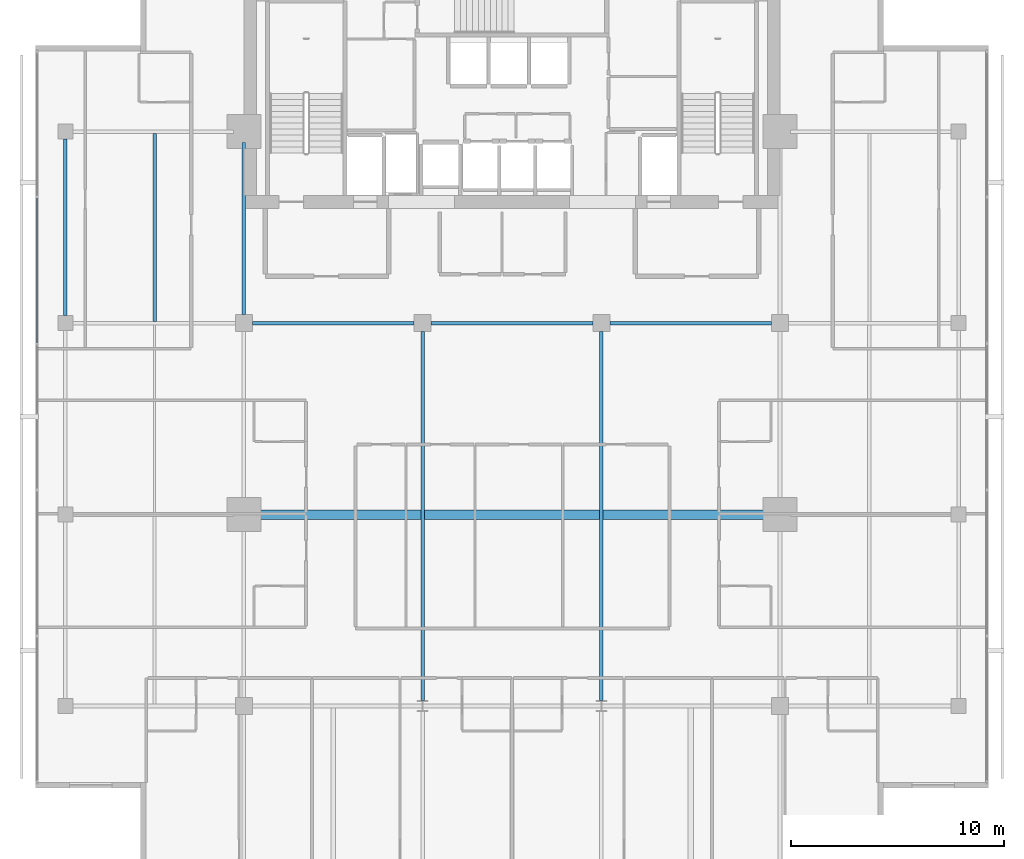
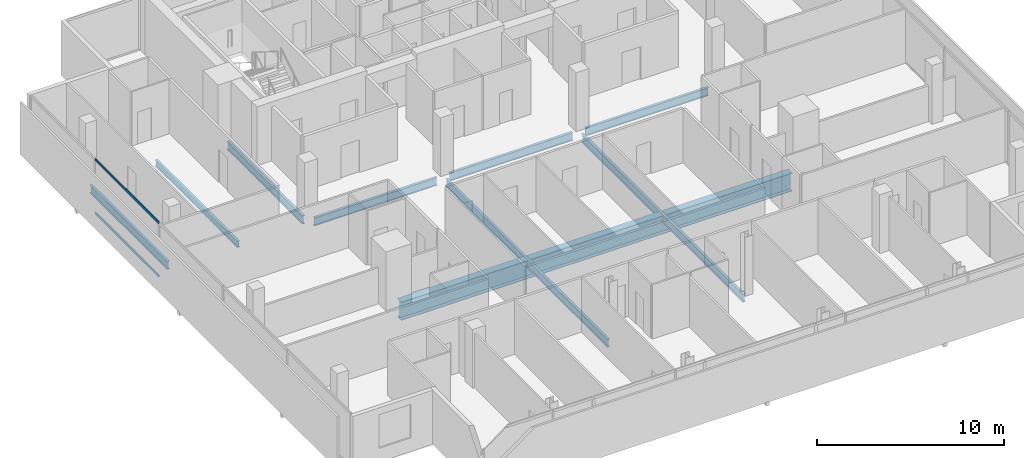
# One storey, part 9 of 26: 9 beams, 2 members, 1 element without a shape of its own.
"""IFC4 building model written with IfcOpenShell, lengths in metres."""

import ifcopenshell
import ifcopenshell.guid

model = None  # the IFC model being written
_history = None  # IfcOwnerHistory: only IFC2X3 demands one
_inside = {}  # id of a spatial element -> (the spatial element, [elements in it])
_under = {}  # id of a project, library or spatial element -> (it, [spatial elements below it])
_declared = {}  # id of a project -> (the project, [libraries it declares])
_typed = {}  # id of a type object -> (the type object, [elements of that type])
_made_of = {}  # id of a material, layer set ... -> (it, [elements and type objects made of it])


def new_model(schema):
    """Start an empty IFC model of exactly this schema.

    Asked for "IFC4X3", IfcOpenShell would pick the latest addendum, in which some entities
    have other attributes; the version numbers below select the first issue.
    IFC2X3 requires an IfcOwnerHistory on every rooted entity: one is made here for all.
    """
    global model, _history
    if schema == "IFC4X3":
        model = ifcopenshell.file(schema_version=(4, 3, 0, 0))
    else:
        model = ifcopenshell.file(schema=schema)
    _inside.clear()
    _under.clear()
    _declared.clear()
    _typed.clear()
    _made_of.clear()
    _history = None
    if model.schema == "IFC2X3":
        org = make("IfcOrganization", Name="unknown")
        user = make(
            "IfcPersonAndOrganization",
            ThePerson=make("IfcPerson", FamilyName="unknown"),
            TheOrganization=org,
        )
        app = make(
            "IfcApplication",
            ApplicationDeveloper=org,
            Version="unknown",
            ApplicationFullName="unknown",
            ApplicationIdentifier="unknown",
        )
        _history = make(
            "IfcOwnerHistory",
            OwningUser=user,
            OwningApplication=app,
            ChangeAction="ADDED",
            CreationDate=0,
        )
    return model


def make(cls, **values):
    """One entity of the class cls with the attributes given. An attribute that is None is left unset."""
    return model.create_entity(
        cls, **{name: value for name, value in values.items() if value is not None}
    )


def rooted(cls, **values):
    """An entity with a GlobalId (a new one), such as an element, a storey or a relation."""
    return make(cls, GlobalId=ifcopenshell.guid.new(), OwnerHistory=_history, **values)


def si_unit(unit_type, name, prefix=None):
    """IfcSIUnit, for example si_unit("LENGTHUNIT", "METRE", prefix="MILLI")."""
    return make("IfcSIUnit", UnitType=unit_type, Prefix=prefix, Name=name)


def assignment(units):
    """IfcUnitAssignment: the units of a project."""
    return None if units is None else make("IfcUnitAssignment", Units=units)


def point(xyz):
    """IfcCartesianPoint."""
    return None if xyz is None else make("IfcCartesianPoint", Coordinates=xyz)


def direction(xyz):
    """IfcDirection."""
    return None if xyz is None else make("IfcDirection", DirectionRatios=xyz)


def frame(location, z_axis=None, x_axis=None):
    """IfcAxis2Placement3D, a coordinate frame: its origin and axes. An axis left out is left unset."""
    return make(
        "IfcAxis2Placement3D",
        Location=point(location),
        Axis=direction(z_axis),
        RefDirection=direction(x_axis),
    )


def frame_2d(location, x_axis=None):
    """IfcAxis2Placement2D, a coordinate frame in the plane: its origin and x axis."""
    return make(
        "IfcAxis2Placement2D", Location=point(location), RefDirection=direction(x_axis)
    )


def origin():
    """The frame at (0, 0, 0) with its axes left unset."""
    return frame((0.0, 0.0, 0.0))


def origin_2d():
    """The frame at (0, 0) in the plane with its x axis left unset."""
    return frame_2d((0.0, 0.0))


def place(relative_to, where):
    """IfcLocalPlacement: puts the frame where relative to a parent placement (None: the world)."""
    return make(
        "IfcLocalPlacement", PlacementRelTo=relative_to, RelativePlacement=where
    )


def context(
    kind, dimensions, precision=None, world=None, true_north=None, identifier=None
):
    """IfcGeometricRepresentationContext, for example the 3D "Model" context."""
    return make(
        "IfcGeometricRepresentationContext",
        ContextIdentifier=identifier,
        ContextType=kind,
        CoordinateSpaceDimension=dimensions,
        Precision=precision,
        WorldCoordinateSystem=world,
        TrueNorth=true_north,
    )


def subcontext(parent, identifier, kind, view, scale=None):
    """IfcGeometricRepresentationSubContext, for example "Body" below "Model"."""
    return make(
        "IfcGeometricRepresentationSubContext",
        ContextIdentifier=identifier,
        ContextType=kind,
        ParentContext=parent,
        TargetScale=scale,
        TargetView=view,
    )


def project(units=None, contexts=None):
    """IfcProject with its units and contexts."""
    return rooted(
        "IfcProject",
        Name="project",
        RepresentationContexts=contexts,
        UnitsInContext=assignment(units),
    )


def spatial(cls, under=None, at=None, **own):
    """A site, building, storey or space (cls), placed at a placement, below another one or the project."""
    s = rooted(cls, ObjectPlacement=at, **own)
    if under is not None:
        _under.setdefault(under.id(), (under, []))[1].append(s)
    return s


def profile(cls, at=None, kind="AREA", **sizes):
    """A parametric profile (cls). Its sizes go by their IFC names, for example OverallWidth=200.0."""
    return make(cls, ProfileType=kind, Position=at, **sizes)


def hollow_rectangle(**sizes):
    """IfcRectangleHollowProfileDef."""
    return profile("IfcRectangleHollowProfileDef", **sizes)


def i_section(**sizes):
    """IfcIShapeProfileDef."""
    return profile("IfcIShapeProfileDef", **sizes)


def extrude(swept, where, along, depth):
    """IfcExtrudedAreaSolid: the profile swept, set in the frame where, extruded along a direction by depth."""
    return make(
        "IfcExtrudedAreaSolid",
        SweptArea=swept,
        Position=where,
        ExtrudedDirection=direction(along),
        Depth=depth,
    )


def shape(context_of_items, identifier, shape_type, items):
    """IfcShapeRepresentation: the items that make up one representation, for example the "Body"."""
    return make(
        "IfcShapeRepresentation",
        ContextOfItems=context_of_items,
        RepresentationIdentifier=identifier,
        RepresentationType=shape_type,
        Items=items,
    )


def material(Name=None, Category=None):
    """IfcMaterial."""
    return make("IfcMaterial", Name=Name, Category=Category)


def layer(
    of_material, thickness, ventilated=None, Name=None, Category=None, Priority=None
):
    """IfcMaterialLayer: one layer of a wall or slab, of a material (None: an air gap)."""
    return make(
        "IfcMaterialLayer",
        Material=of_material,
        LayerThickness=thickness,
        IsVentilated=ventilated,
        Name=Name,
        Category=Category,
        Priority=Priority,
    )


def layer_set(layers, Name=None):
    """IfcMaterialLayerSet."""
    return make("IfcMaterialLayerSet", MaterialLayers=layers, LayerSetName=Name)


def material_profile(
    of_material, cross_section, Name=None, Category=None, Priority=None
):
    """IfcMaterialProfile: a cross section and its material."""
    return make(
        "IfcMaterialProfile",
        Name=Name,
        Material=of_material,
        Profile=cross_section,
        Priority=Priority,
        Category=Category,
    )


def profile_set(profiles, Name=None, composite=None):
    """IfcMaterialProfileSet."""
    return make(
        "IfcMaterialProfileSet",
        Name=Name,
        MaterialProfiles=profiles,
        CompositeProfile=composite,
    )


def made_of(thing, what):
    """Note that an element or type object is made of a material, layer set ...; save() writes the relation."""
    if what is not None:
        _made_of.setdefault(what.id(), (what, []))[1].append(thing)
    return thing


def type_object(cls, material=None, **own):
    """A type object (cls), such as IfcWallType, which elements share."""
    return made_of(rooted(cls, **own), material)


def element(
    cls,
    number,
    at=None,
    inside=None,
    cuts=None,
    type_object=None,
    material=None,
    context=None,
    identifier="Body",
    shape_type=None,
    held_by="IfcProductDefinitionShape",
    body=None,
    shapes=None,
    **own,
):
    """One element of the class cls, such as IfcWall. Its Tag is "e" and its number.

    at: its placement. inside: the storey or other place that contains it. cuts: it is an
    opening in that element (IfcRelVoidsElement). A single representation is given by context,
    identifier, shape_type and body (its items); several are given by shapes. held_by: the class
    of the entity that holds the representations. save() writes the other relations.
    """
    e = rooted(cls, Tag="e%d" % number, ObjectPlacement=at, **own)
    if body is not None:
        shapes = [shape(context, identifier, shape_type, body)]
    if shapes is not None:
        e.Representation = make(held_by, Representations=shapes)
    if inside is not None:
        _inside.setdefault(inside.id(), (inside, []))[1].append(e)
    if cuts is not None:
        rooted(
            "IfcRelVoidsElement", RelatingBuildingElement=cuts, RelatedOpeningElement=e
        )
    if type_object is not None:
        _typed.setdefault(type_object.id(), (type_object, []))[1].append(e)
    return made_of(e, material)


def aggregate(whole, parts):
    """IfcRelAggregates: a whole, such as a stair, and the parts it consists of."""
    return rooted("IfcRelAggregates", RelatingObject=whole, RelatedObjects=parts)


def save(model, path):
    """Write the relations noted so far, then the file.

    IfcRelAggregates (storeys below a building ...), IfcRelContainedInSpatialStructure (elements
    in a storey), IfcRelDefinesByType, IfcRelAssociatesMaterial and IfcRelDeclares: one each for
    every whole, place, type object, material and project.
    """
    for whole, parts in _under.values():
        aggregate(whole, parts)
    for where, things in _inside.values():
        rooted(
            "IfcRelContainedInSpatialStructure",
            RelatedElements=things,
            RelatingStructure=where,
        )
    for kind, things in _typed.values():
        rooted("IfcRelDefinesByType", RelatedObjects=things, RelatingType=kind)
    for what, things in _made_of.values():
        rooted("IfcRelAssociatesMaterial", RelatedObjects=things, RelatingMaterial=what)
    for by, libraries in _declared.values():
        rooted("IfcRelDeclares", RelatingContext=by, RelatedDefinitions=libraries)
    model.write(path)


model = new_model("IFC4")

# Units and contexts
model_context = context("Model", 3, precision=1e-05, world=origin(), true_north=direction((0.0, 1.0)))
body_context = subcontext(model_context, "Body", "Model", "MODEL_VIEW")
ifc_project = project(units=[si_unit("LENGTHUNIT", "METRE"), si_unit("AREAUNIT", "SQUARE_METRE"), si_unit("VOLUMEUNIT", "CUBIC_METRE"), si_unit("PLANEANGLEUNIT", "RADIAN"), si_unit("MASSUNIT", "GRAM", prefix="KILO")], contexts=[model_context])

# Site, building, storey
site_placement = place(None, origin())
site = spatial("IfcSite", under=ifc_project, at=site_placement, CompositionType="ELEMENT")
building_placement = place(site_placement, origin())
building = spatial("IfcBuilding", under=site, at=building_placement, Name="Maruvema Waterfront Hotel and Observation Tower", CompositionType="ELEMENT")
storey_placement = place(building_placement, frame((0.0, 0.0, 312.550048828125)))
storey = spatial("IfcBuildingStorey", under=building, at=storey_placement, Name="L77", CompositionType="ELEMENT", Elevation=312.550048828125)

# Curtain wall, members
ifc_material_1 = material(Name="Anodised bronze aluminium and solar-control low-E IGU", Category="aluminium")
ifc_layer = layer(ifc_material_1, 0.159912109375, Name="Zone 3 Champagne Inner Thermal Curtain Wall System CW-04")
ifc_layer_set = layer_set([ifc_layer], Name="Anodised bronze aluminium and solar-control low-E IGU")
curtain_wall_type = type_object("IfcCurtainWallType", Name="Zone 3 Champagne Inner Thermal Curtain Wall System CW-04", PredefinedType="USERDEFINED", material=ifc_layer_set)
curtain_wall_placement = place(storey_placement, origin())
curtain_wall = element("IfcCurtainWall", 1, at=curtain_wall_placement, inside=storey, type_object=curtain_wall_type, Name="L77 Curtain Wall CW-L77-W", ObjectType="UNITISED CURTAIN WALL", PredefinedType="USERDEFINED")
ifc_material_2 = material(Name="Anodised architectural bronze aluminium", Category="aluminium")
ifc_material_profile_1 = material_profile(ifc_material_2, hollow_rectangle(XDim=0.070068359375, YDim=0.14990234375, WallThickness=0.00390625, at=origin_2d()), Name="ALU-T70x150")
ifc_profile_set_1 = profile_set([ifc_material_profile_1], Name="Anodised architectural bronze aluminium")
member_type = type_object("IfcMemberType", Name="Curtain Wall Horizontal Transom ALU-T70x150", PredefinedType="USERDEFINED", material=ifc_profile_set_1)
member_1_placement = place(storey_placement, frame((15.47998046875, 41.889892578125, 0.030029296875), z_axis=(0.0, -1.0, 0.0), x_axis=(1.0, 0.0, 0.0)))
member_1 = element("IfcMember", 2, at=member_1_placement, type_object=member_type, Name="CW-04 transom 2.1", ObjectType="TRANSOM", PredefinedType="USERDEFINED", context=body_context, shape_type="SweptSolid", body=[
    extrude(hollow_rectangle(XDim=0.070068359375, YDim=0.14990234375, WallThickness=0.00390625, at=origin_2d()), origin(), (0.0, 0.0, 1.0), 6.81982421875),
])
member_2_placement = place(storey_placement, frame((15.47998046875, 41.889892578125, 3.52001953125), z_axis=(0.0, -1.0, 0.0), x_axis=(1.0, 0.0, 0.0)))
member_2 = element("IfcMember", 3, at=member_2_placement, type_object=member_type, Name="CW-04 transom 2.2", ObjectType="TRANSOM", PredefinedType="USERDEFINED", context=body_context, shape_type="SweptSolid", body=[
    extrude(hollow_rectangle(XDim=0.070068359375, YDim=0.14990234375, WallThickness=0.00390625, at=origin_2d()), origin(), (0.0, 0.0, 1.0), 6.81982421875),
])
aggregate(curtain_wall, [member_1, member_2])

# Beams
ifc_material_3 = material(Name="Steel ASTM A572 Grade 50", Category="steel")
ifc_material_profile_2 = material_profile(ifc_material_3, i_section(OverallWidth=0.166015625, OverallDepth=0.529052734375, WebThickness=0.009765625, FlangeThickness=0.013671875, FilletRadius=0.014892578125, at=origin_2d()), Name="W530x74.0")
ifc_profile_set_2 = profile_set([ifc_material_profile_2], Name="Steel ASTM A572 Grade 50")
beam_type_1 = type_object("IfcBeamType", Name="Primary Floor Girder W530x74.0", PredefinedType="BEAM", material=ifc_profile_set_2)
beam_1_placement = place(storey_placement, frame((25.60009765625, 36.0, -0.504638671875), z_axis=(1.0, 0.0, 0.0), x_axis=(0.0, 1.0, 0.0)))
element("IfcBeam", 4, at=beam_1_placement, inside=storey, type_object=beam_type_1, Name="L77 Floor Girder EW-13", PredefinedType="BEAM", context=body_context, shape_type="SweptSolid", body=[
    extrude(i_section(OverallWidth=0.166015625, OverallDepth=0.529052734375, WebThickness=0.009765625, FlangeThickness=0.013671875, FilletRadius=0.014892578125, at=origin_2d()), origin(), (0.0, 0.0, 1.0), 7.599853515625),
])
for number, where, z_axis, x_axis, name in (
    (5, (34.0, 36.0, -0.504638671875), (1.0, 0.0, 0.0), (0.0, 1.0, 0.0), "L77 Floor Girder EW-14"),
    (6, (42.39990234375, 36.0, -0.504638671875), (1.0, 0.0, 0.0), (0.0, 1.0, 0.0), "L77 Floor Girder EW-15"),
):
    element("IfcBeam", number, at=place(storey_placement, frame(where, z_axis=z_axis, x_axis=x_axis)), inside=storey, type_object=beam_type_1, Name=name, PredefinedType="BEAM", context=body_context, shape_type="SweptSolid", body=[
        extrude(i_section(OverallWidth=0.166015625, OverallDepth=0.529052734375, WebThickness=0.009765625, FlangeThickness=0.013671875, FilletRadius=0.014892578125, at=origin_2d()), origin(), (0.0, 0.0, 1.0), 7.60009765625),
    ])
beam_2_placement = place(storey_placement, frame((16.800048828125, 36.35009765625, -0.504638671875), z_axis=(0.0, 1.0, 0.0), x_axis=(-1.0, 0.0, 0.0)))
element("IfcBeam", 7, at=beam_2_placement, inside=storey, type_object=beam_type_1, Name="L77 Floor Girder NS-03", PredefinedType="BEAM", context=body_context, shape_type="SweptSolid", body=[
    extrude(i_section(OverallWidth=0.166015625, OverallDepth=0.529052734375, WebThickness=0.009765625, FlangeThickness=0.013671875, FilletRadius=0.014892578125, at=origin_2d()), origin(), (0.0, 0.0, 1.0), 8.2998046875),
])
beam_3_placement = place(storey_placement, frame((25.199951171875, 36.39990234375, -0.504638671875), z_axis=(0.0, 1.0, 0.0), x_axis=(-1.0, 0.0, 0.0)))
element("IfcBeam", 8, at=beam_3_placement, inside=storey, type_object=beam_type_1, Name="L77 Floor Girder NS-07", PredefinedType="BEAM", context=body_context, shape_type="SweptSolid", body=[
    extrude(i_section(OverallWidth=0.166015625, OverallDepth=0.529052734375, WebThickness=0.009765625, FlangeThickness=0.013671875, FilletRadius=0.014892578125, at=origin_2d()), origin(), (0.0, 0.0, 1.0), 8.10009765625),
])
for number, where, z_axis, x_axis, name in (
    (9, (33.60009765625, 18.25, -0.504638671875), (0.0, 1.0, 0.0), (-1.0, 0.0, 0.0), "L77 Floor Girder NS-09"),
    (10, (42.0, 18.25, -0.504638671875), (0.0, 1.0, 0.0), (-1.0, 0.0, 0.0), "L77 Floor Girder NS-11"),
):
    element("IfcBeam", number, at=place(storey_placement, frame(where, z_axis=z_axis, x_axis=x_axis)), inside=storey, type_object=beam_type_1, Name=name, PredefinedType="BEAM", context=body_context, shape_type="SweptSolid", body=[
        extrude(i_section(OverallWidth=0.166015625, OverallDepth=0.529052734375, WebThickness=0.009765625, FlangeThickness=0.013671875, FilletRadius=0.014892578125, at=origin_2d()), origin(), (0.0, 0.0, 1.0), 17.35009765625),
    ])
ifc_material_4 = material(Name="Steel ASTM A572 Grade 50", Category="steel")
ifc_material_profile_3 = material_profile(ifc_material_4, i_section(OverallWidth=0.177001953125, OverallDepth=0.403076171875, WebThickness=0.007568359375, FlangeThickness=0.010986328125, FilletRadius=0.014892578125, at=origin_2d()), Name="W410x53.0")
ifc_profile_set_3 = profile_set([ifc_material_profile_3], Name="Steel ASTM A572 Grade 50")
beam_type_2 = type_object("IfcBeamType", Name="Secondary Floor Joist W410x53.0", PredefinedType="JOIST", material=ifc_profile_set_3)
beam_4_placement = place(storey_placement, frame((21.0, 36.0830078125, -0.441650390625), z_axis=(0.0, 1.0, 0.0), x_axis=(-1.0, 0.0, 0.0)))
element("IfcBeam", 11, at=beam_4_placement, inside=storey, type_object=beam_type_2, Name="L77 Secondary Floor Joist JS-03", PredefinedType="JOIST", context=body_context, shape_type="SweptSolid", body=[
    extrude(i_section(OverallWidth=0.177001953125, OverallDepth=0.403076171875, WebThickness=0.007568359375, FlangeThickness=0.010986328125, FilletRadius=0.014892578125, at=origin_2d()), origin(), (0.0, 0.0, 1.0), 8.833984375),
])
ifc_material_5 = material(Name="Steel ABNT NBR 7007 AR 415 (ASTM A572 Grade 50)", Category="steel")
ifc_material_profile_4 = material_profile(ifc_material_5, i_section(OverallWidth=0.449951171875, OverallDepth=1.199951171875, WebThickness=0.01904296875, FlangeThickness=0.031982421875, at=origin_2d()), Name="VS1200x366")
ifc_profile_set_4 = profile_set([ifc_material_profile_4], Name="Steel ABNT NBR 7007 AR 415 (ASTM A572 Grade 50)")
beam_type_3 = type_object("IfcBeamType", Name="Upper Setback Transfer Girder VS1200x366", PredefinedType="USERDEFINED", material=ifc_profile_set_4)
beam_5_placement = place(storey_placement, frame((25.699951171875, 27.0, -0.840087890625), z_axis=(1.0, 0.0, 0.0), x_axis=(0.0, 1.0, 0.0)))
element("IfcBeam", 12, at=beam_5_placement, inside=storey, type_object=beam_type_3, Name="L77 Floor Girder EW-10", ObjectType="TRANSFER GIRDER", PredefinedType="USERDEFINED", context=body_context, shape_type="SweptSolid", body=[
    extrude(i_section(OverallWidth=0.449951171875, OverallDepth=1.199951171875, WebThickness=0.01904296875, FlangeThickness=0.031982421875, at=origin_2d()), origin(), (0.0, 0.0, 1.0), 24.199951171875),
])

save(model, "model.ifc")
